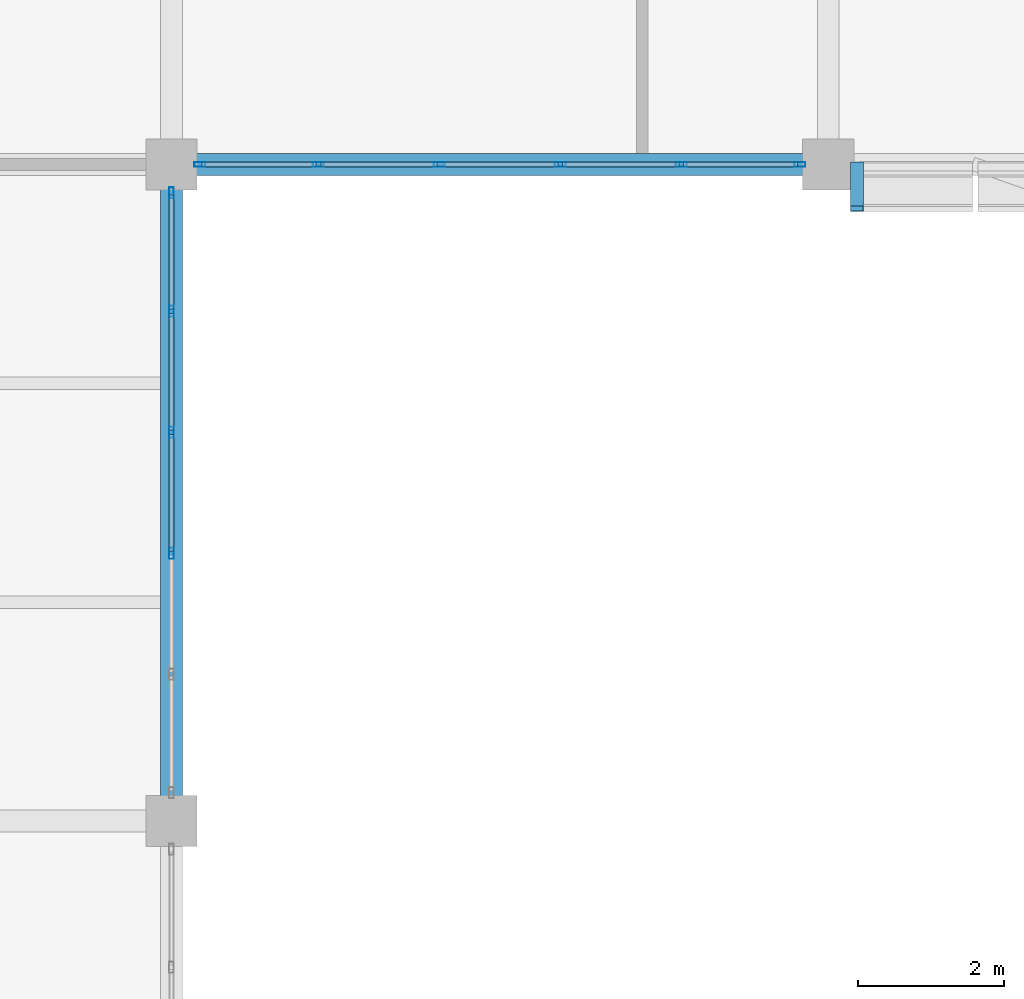
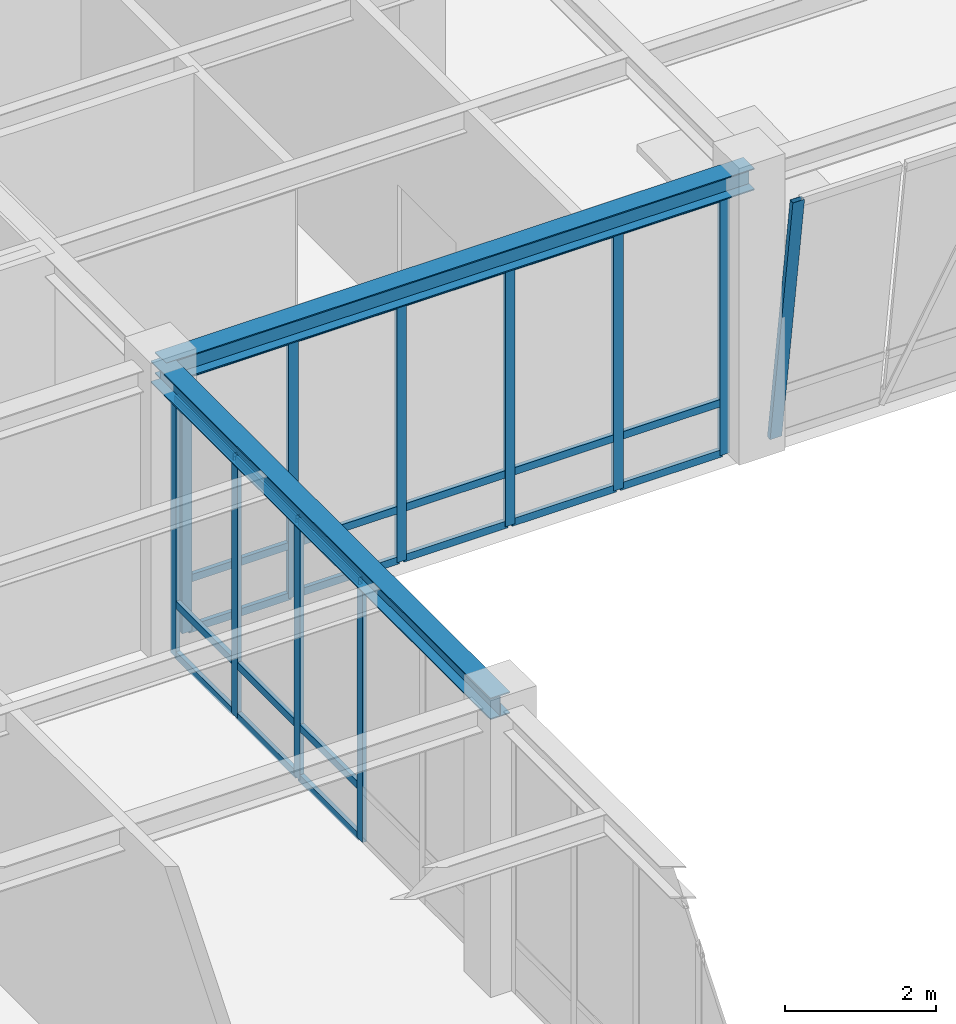
# One storey, part 26 of 92: 35 members, 2 beams, 3 elements without a shape of their own.
"""IFC4 building model written with IfcOpenShell, lengths in metres."""

from ifc_helpers import new_model, si_unit, direction, frame, origin, origin_2d, place, context, subcontext, project, spatial, hollow_rectangle, i_section, extrude, material, material_profile, profile_set, type_object, element, aggregate, save


model = new_model("IFC4")

# Units and contexts
model_context = context("Model", 3, precision=1e-05, world=origin(), true_north=direction((0.0, 1.0)))
body_context = subcontext(model_context, "Body", "Model", "MODEL_VIEW")
ifc_project = project(units=[si_unit("LENGTHUNIT", "METRE"), si_unit("AREAUNIT", "SQUARE_METRE"), si_unit("VOLUMEUNIT", "CUBIC_METRE"), si_unit("PLANEANGLEUNIT", "RADIAN"), si_unit("MASSUNIT", "GRAM", prefix="KILO")], contexts=[model_context])

# Site, building, storey
site_placement = place(None, origin())
site = spatial("IfcSite", under=ifc_project, at=site_placement, CompositionType="ELEMENT")
building_placement = place(site_placement, origin())
building = spatial("IfcBuilding", under=site, at=building_placement, Name="Lykobir Media Centre", CompositionType="ELEMENT")
storey_placement = place(building_placement, frame((0.0, 0.0, 5.39990234375)))
storey = spatial("IfcBuildingStorey", under=building, at=storey_placement, Name="L01", CompositionType="ELEMENT", Elevation=5.39990234375)

# Beam
ifc_material_1 = material(Name="Steel S355", Category="steel")
ifc_material_profile_1 = material_profile(ifc_material_1, i_section(OverallWidth=0.300048828125, OverallDepth=0.35009765625, WebThickness=0.010009765625, FlangeThickness=0.017578125, at=origin_2d()), Name="HEA 360")
ifc_profile_set_1 = profile_set([ifc_material_profile_1], Name="Steel S355")
beam_type_1 = type_object("IfcBeamType", Name="BM-HEA360", PredefinedType="BEAM", material=ifc_profile_set_1)
beam_1_placement = place(storey_placement, frame((36.0, 54.0, 4.385009765625), z_axis=(0.0, 1.0, 0.0), x_axis=(-1.0, 0.0, 0.0)))
element("IfcBeam", 1, at=beam_1_placement, inside=storey, type_object=beam_type_1, Name="Beam BM-L01-0360-0540-0360-0630-978", PredefinedType="BEAM", context=body_context, shape_type="SweptSolid", body=[
    extrude(i_section(OverallWidth=0.300048828125, OverallDepth=0.35009765625, WebThickness=0.010009765625, FlangeThickness=0.017578125, at=origin_2d()), origin(), (0.0, 0.0, 1.0), 9.0),
])

# Curtain wall, members
ifc_material_2 = material(Name="Anodized Aluminium AW-6060", Category="aluminium")
curtain_wall_type_1 = type_object("IfcCurtainWallType", Name="CW-COURT-A", PredefinedType="NOTDEFINED", material=ifc_material_2)
curtain_wall_1_placement = place(storey_placement, origin())
curtain_wall_1 = element("IfcCurtainWall", 2, at=curtain_wall_1_placement, inside=storey, type_object=curtain_wall_type_1, Name="Curtain wall CW2-L01-0052", PredefinedType="NOTDEFINED")
ifc_material_profile_2 = material_profile(ifc_material_2, hollow_rectangle(XDim=0.06494140625, YDim=0.14990234375, WallThickness=0.00341796875, at=origin_2d()), Name="ALU MULLION 65x150")
ifc_profile_set_2 = profile_set([ifc_material_profile_2], Name="Anodized Aluminium AW-6060")
member_type_1 = type_object("IfcMemberType", Name="CWM-150", PredefinedType="MULLION", material=ifc_profile_set_2)
member_1_placement = place(storey_placement, frame((36.0, 62.612548828125, 0.0), z_axis=(0.0, 0.0, 1.0), x_axis=(1.0, 0.0, 0.0)))
member_1 = element("IfcMember", 3, at=member_1_placement, type_object=member_type_1, Name="CW2-L01-0052 mullion 1", PredefinedType="MULLION", context=body_context, shape_type="SweptSolid", body=[
    extrude(hollow_rectangle(XDim=0.06494140625, YDim=0.14990234375, WallThickness=0.00341796875, at=origin_2d()), origin(), (0.0, 0.0, 1.0), 4.195068359375),
])
member_2_placement = place(storey_placement, frame((36.0, 60.987060546875, 0.0), z_axis=(0.0, 0.0, 1.0), x_axis=(1.0, 0.0, 0.0)))
member_2 = element("IfcMember", 4, at=member_2_placement, type_object=member_type_1, Name="CW2-L01-0052 mullion 2", PredefinedType="MULLION", context=body_context, shape_type="SweptSolid", body=[
    extrude(hollow_rectangle(XDim=0.06494140625, YDim=0.14990234375, WallThickness=0.00341796875, at=origin_2d()), origin(), (0.0, 0.0, 1.0), 4.195068359375),
])
member_3_placement = place(storey_placement, frame((36.0, 59.3291015625, 0.0), z_axis=(0.0, 0.0, 1.0), x_axis=(1.0, 0.0, 0.0)))
member_3 = element("IfcMember", 5, at=member_3_placement, type_object=member_type_1, Name="CW2-L01-0052 mullion 3", PredefinedType="MULLION", context=body_context, shape_type="SweptSolid", body=[
    extrude(hollow_rectangle(XDim=0.06494140625, YDim=0.14990234375, WallThickness=0.00341796875, at=origin_2d()), origin(), (0.0, 0.0, 1.0), 4.195068359375),
])
member_4_placement = place(storey_placement, frame((36.0, 57.6708984375, 0.0), z_axis=(0.0, 0.0, 1.0), x_axis=(1.0, 0.0, 0.0)))
member_4 = element("IfcMember", 6, at=member_4_placement, type_object=member_type_1, Name="CW2-L01-0052 mullion 4", PredefinedType="MULLION", context=body_context, shape_type="SweptSolid", body=[
    extrude(hollow_rectangle(XDim=0.06494140625, YDim=0.14990234375, WallThickness=0.00341796875, at=origin_2d()), origin(), (0.0, 0.0, 1.0), 4.195068359375),
])

curtain_wall_2_placement = place(storey_placement, origin())
curtain_wall_2 = element("IfcCurtainWall", 7, at=curtain_wall_2_placement, inside=storey, type_object=curtain_wall_type_1, Name="Curtain wall CW2-L01-0053", PredefinedType="NOTDEFINED")
member_5_placement = place(storey_placement, frame((44.612548828125, 63.0, 0.0), z_axis=(0.0, 0.0, 1.0), x_axis=(0.0, -1.0, 0.0)))
member_5 = element("IfcMember", 8, at=member_5_placement, type_object=member_type_1, Name="CW2-L01-0053 mullion 1", PredefinedType="MULLION", context=body_context, shape_type="SweptSolid", body=[
    extrude(hollow_rectangle(XDim=0.06494140625, YDim=0.14990234375, WallThickness=0.00341796875, at=origin_2d()), origin(), (0.0, 0.0, 1.0), 4.195068359375),
])
member_6_placement = place(storey_placement, frame((42.987060546875, 63.0, 0.0), z_axis=(0.0, 0.0, 1.0), x_axis=(0.0, -1.0, 0.0)))
member_6 = element("IfcMember", 9, at=member_6_placement, type_object=member_type_1, Name="CW2-L01-0053 mullion 2", PredefinedType="MULLION", context=body_context, shape_type="SweptSolid", body=[
    extrude(hollow_rectangle(XDim=0.06494140625, YDim=0.14990234375, WallThickness=0.00341796875, at=origin_2d()), origin(), (0.0, 0.0, 1.0), 4.195068359375),
])
member_7_placement = place(storey_placement, frame((41.3291015625, 63.0, 0.0), z_axis=(0.0, 0.0, 1.0), x_axis=(0.0, -1.0, 0.0)))
member_7 = element("IfcMember", 10, at=member_7_placement, type_object=member_type_1, Name="CW2-L01-0053 mullion 3", PredefinedType="MULLION", context=body_context, shape_type="SweptSolid", body=[
    extrude(hollow_rectangle(XDim=0.06494140625, YDim=0.14990234375, WallThickness=0.00341796875, at=origin_2d()), origin(), (0.0, 0.0, 1.0), 4.195068359375),
])
member_8_placement = place(storey_placement, frame((39.6708984375, 63.0, 0.0), z_axis=(0.0, 0.0, 1.0), x_axis=(0.0, -1.0, 0.0)))
member_8 = element("IfcMember", 11, at=member_8_placement, type_object=member_type_1, Name="CW2-L01-0053 mullion 4", PredefinedType="MULLION", context=body_context, shape_type="SweptSolid", body=[
    extrude(hollow_rectangle(XDim=0.06494140625, YDim=0.14990234375, WallThickness=0.00341796875, at=origin_2d()), origin(), (0.0, 0.0, 1.0), 4.195068359375),
])
member_9_placement = place(storey_placement, frame((38.012939453125, 63.0, 0.0), z_axis=(0.0, 0.0, 1.0), x_axis=(0.0, -1.0, 0.0)))
member_9 = element("IfcMember", 12, at=member_9_placement, type_object=member_type_1, Name="CW2-L01-0053 mullion 5", PredefinedType="MULLION", context=body_context, shape_type="SweptSolid", body=[
    extrude(hollow_rectangle(XDim=0.06494140625, YDim=0.14990234375, WallThickness=0.00341796875, at=origin_2d()), origin(), (0.0, 0.0, 1.0), 4.195068359375),
])
member_10_placement = place(storey_placement, frame((36.387451171875, 63.0, 0.0), z_axis=(0.0, 0.0, 1.0), x_axis=(0.0, -1.0, 0.0)))
member_10 = element("IfcMember", 13, at=member_10_placement, type_object=member_type_1, Name="CW2-L01-0053 mullion 6", PredefinedType="MULLION", context=body_context, shape_type="SweptSolid", body=[
    extrude(hollow_rectangle(XDim=0.06494140625, YDim=0.14990234375, WallThickness=0.00341796875, at=origin_2d()), origin(), (0.0, 0.0, 1.0), 4.195068359375),
])

# Curtain wall, member
curtain_wall_type_2 = type_object("IfcCurtainWallType", Name="CW-V6-CR1", PredefinedType="NOTDEFINED", material=ifc_material_2)
curtain_wall_3_placement = place(storey_placement, origin())
curtain_wall_3 = element("IfcCurtainWall", 14, at=curtain_wall_3_placement, inside=storey, type_object=curtain_wall_type_2, Name="Curtain wall CW2-L01-0054", PredefinedType="NOTDEFINED")
ifc_material_profile_3 = material_profile(ifc_material_2, hollow_rectangle(XDim=0.074951171875, YDim=0.179931640625, WallThickness=0.00390625, at=origin_2d()), Name="ALU MULLION 75x180")
ifc_profile_set_3 = profile_set([ifc_material_profile_3], Name="Anodized Aluminium AW-6060")
member_type_2 = type_object("IfcMemberType", Name="CWM-180", PredefinedType="MULLION", material=ifc_profile_set_3)
member_11_placement = place(storey_placement, frame((45.392578125, 63.0, 0.0), z_axis=(0.0, -0.142622832142, 0.989777110137), x_axis=(0.0, 0.989777110137, 0.142622832142)))
member_11 = element("IfcMember", 15, at=member_11_placement, type_object=member_type_2, Name="CW2-L01-0054 mullion 1", PredefinedType="MULLION", context=body_context, shape_type="SweptSolid", body=[
    extrude(hollow_rectangle(XDim=0.074951171875, YDim=0.179931640625, WallThickness=0.00390625, at=origin_2d()), origin(), (0.0, 0.0, 1.0), 4.23828125),
])
aggregate(curtain_wall_3, [member_11])

# Member
ifc_material_profile_4 = material_profile(ifc_material_2, hollow_rectangle(XDim=0.06494140625, YDim=0.1201171875, WallThickness=0.0029296875, at=origin_2d()), Name="ALU TRANSOM 65x120")
ifc_profile_set_4 = profile_set([ifc_material_profile_4], Name="Anodized Aluminium AW-6060")
member_type_3 = type_object("IfcMemberType", Name="CWT-120", PredefinedType="USERDEFINED", material=ifc_profile_set_4)
member_12_placement = place(storey_placement, frame((36.0, 62.580078125, 0.03271484375), z_axis=(0.0, -1.0, 0.0), x_axis=(1.0, 0.0, 0.0)))
member_12 = element("IfcMember", 16, at=member_12_placement, type_object=member_type_3, Name="CW2-L01-0052 transom 1.1", ObjectType="TRANSOM", PredefinedType="USERDEFINED", context=body_context, shape_type="SweptSolid", body=[
    extrude(hollow_rectangle(XDim=0.06494140625, YDim=0.1201171875, WallThickness=0.0029296875, at=origin_2d()), origin(), (0.0, 0.0, 1.0), 1.560546875),
])

member_13_placement = place(storey_placement, frame((36.0, 62.580078125, 0.85009765625), z_axis=(0.0, -1.0, 0.0), x_axis=(1.0, 0.0, 0.0)))
member_13 = element("IfcMember", 17, at=member_13_placement, type_object=member_type_3, Name="CW2-L01-0052 transom 1.2", ObjectType="TRANSOM", PredefinedType="USERDEFINED", context=body_context, shape_type="SweptSolid", body=[
    extrude(hollow_rectangle(XDim=0.06494140625, YDim=0.1201171875, WallThickness=0.0029296875, at=origin_2d()), origin(), (0.0, 0.0, 1.0), 1.560546875),
])

member_14_placement = place(storey_placement, frame((36.0, 62.580078125, 4.16259765625), z_axis=(0.0, -1.0, 0.0), x_axis=(1.0, 0.0, 0.0)))
member_14 = element("IfcMember", 18, at=member_14_placement, type_object=member_type_3, Name="CW2-L01-0052 transom 1.3", ObjectType="TRANSOM", PredefinedType="USERDEFINED", context=body_context, shape_type="SweptSolid", body=[
    extrude(hollow_rectangle(XDim=0.06494140625, YDim=0.1201171875, WallThickness=0.0029296875, at=origin_2d()), origin(), (0.0, 0.0, 1.0), 1.560546875),
])

member_15_placement = place(storey_placement, frame((36.0, 60.95458984375, 0.03271484375), z_axis=(0.0, -1.0, 0.0), x_axis=(1.0, 0.0, 0.0)))
member_15 = element("IfcMember", 19, at=member_15_placement, type_object=member_type_3, Name="CW2-L01-0052 transom 2.1", ObjectType="TRANSOM", PredefinedType="USERDEFINED", context=body_context, shape_type="SweptSolid", body=[
    extrude(hollow_rectangle(XDim=0.06494140625, YDim=0.1201171875, WallThickness=0.0029296875, at=origin_2d()), origin(), (0.0, 0.0, 1.0), 1.593017578125),
])

member_16_placement = place(storey_placement, frame((36.0, 60.95458984375, 0.85009765625), z_axis=(0.0, -1.0, 0.0), x_axis=(1.0, 0.0, 0.0)))
member_16 = element("IfcMember", 20, at=member_16_placement, type_object=member_type_3, Name="CW2-L01-0052 transom 2.2", ObjectType="TRANSOM", PredefinedType="USERDEFINED", context=body_context, shape_type="SweptSolid", body=[
    extrude(hollow_rectangle(XDim=0.06494140625, YDim=0.1201171875, WallThickness=0.0029296875, at=origin_2d()), origin(), (0.0, 0.0, 1.0), 1.593017578125),
])

member_17_placement = place(storey_placement, frame((36.0, 60.95458984375, 4.16259765625), z_axis=(0.0, -1.0, 0.0), x_axis=(1.0, 0.0, 0.0)))
member_17 = element("IfcMember", 21, at=member_17_placement, type_object=member_type_3, Name="CW2-L01-0052 transom 2.3", ObjectType="TRANSOM", PredefinedType="USERDEFINED", context=body_context, shape_type="SweptSolid", body=[
    extrude(hollow_rectangle(XDim=0.06494140625, YDim=0.1201171875, WallThickness=0.0029296875, at=origin_2d()), origin(), (0.0, 0.0, 1.0), 1.593017578125),
])

member_18_placement = place(storey_placement, frame((36.0, 59.29638671875, 0.03271484375), z_axis=(0.0, -1.0, 0.0), x_axis=(1.0, 0.0, 0.0)))
member_18 = element("IfcMember", 22, at=member_18_placement, type_object=member_type_3, Name="CW2-L01-0052 transom 3.1", ObjectType="TRANSOM", PredefinedType="USERDEFINED", context=body_context, shape_type="SweptSolid", body=[
    extrude(hollow_rectangle(XDim=0.06494140625, YDim=0.1201171875, WallThickness=0.0029296875, at=origin_2d()), origin(), (0.0, 0.0, 1.0), 1.5927734375),
])

member_19_placement = place(storey_placement, frame((36.0, 59.29638671875, 0.85009765625), z_axis=(0.0, -1.0, 0.0), x_axis=(1.0, 0.0, 0.0)))
member_19 = element("IfcMember", 23, at=member_19_placement, type_object=member_type_3, Name="CW2-L01-0052 transom 3.2", ObjectType="TRANSOM", PredefinedType="USERDEFINED", context=body_context, shape_type="SweptSolid", body=[
    extrude(hollow_rectangle(XDim=0.06494140625, YDim=0.1201171875, WallThickness=0.0029296875, at=origin_2d()), origin(), (0.0, 0.0, 1.0), 1.5927734375),
])

member_20_placement = place(storey_placement, frame((36.0, 59.29638671875, 4.16259765625), z_axis=(0.0, -1.0, 0.0), x_axis=(1.0, 0.0, 0.0)))
member_20 = element("IfcMember", 24, at=member_20_placement, type_object=member_type_3, Name="CW2-L01-0052 transom 3.3", ObjectType="TRANSOM", PredefinedType="USERDEFINED", context=body_context, shape_type="SweptSolid", body=[
    extrude(hollow_rectangle(XDim=0.06494140625, YDim=0.1201171875, WallThickness=0.0029296875, at=origin_2d()), origin(), (0.0, 0.0, 1.0), 1.5927734375),
])

aggregate(curtain_wall_1, [member_1, member_2, member_3, member_4, member_12, member_13, member_14, member_15, member_16, member_17, member_18, member_19, member_20])

member_21_placement = place(storey_placement, frame((44.580078125, 63.0, 0.03271484375), z_axis=(-1.0, 0.0, 0.0), x_axis=(0.0, -1.0, 0.0)))
member_21 = element("IfcMember", 25, at=member_21_placement, type_object=member_type_3, Name="CW2-L01-0053 transom 1.1", ObjectType="TRANSOM", PredefinedType="USERDEFINED", context=body_context, shape_type="SweptSolid", body=[
    extrude(hollow_rectangle(XDim=0.06494140625, YDim=0.1201171875, WallThickness=0.0029296875, at=origin_2d()), origin(), (0.0, 0.0, 1.0), 1.560546875),
])

member_22_placement = place(storey_placement, frame((44.580078125, 63.0, 0.85009765625), z_axis=(-1.0, 0.0, 0.0), x_axis=(0.0, -1.0, 0.0)))
member_22 = element("IfcMember", 26, at=member_22_placement, type_object=member_type_3, Name="CW2-L01-0053 transom 1.2", ObjectType="TRANSOM", PredefinedType="USERDEFINED", context=body_context, shape_type="SweptSolid", body=[
    extrude(hollow_rectangle(XDim=0.06494140625, YDim=0.1201171875, WallThickness=0.0029296875, at=origin_2d()), origin(), (0.0, 0.0, 1.0), 1.560546875),
])

member_23_placement = place(storey_placement, frame((44.580078125, 63.0, 4.16259765625), z_axis=(-1.0, 0.0, 0.0), x_axis=(0.0, -1.0, 0.0)))
member_23 = element("IfcMember", 27, at=member_23_placement, type_object=member_type_3, Name="CW2-L01-0053 transom 1.3", ObjectType="TRANSOM", PredefinedType="USERDEFINED", context=body_context, shape_type="SweptSolid", body=[
    extrude(hollow_rectangle(XDim=0.06494140625, YDim=0.1201171875, WallThickness=0.0029296875, at=origin_2d()), origin(), (0.0, 0.0, 1.0), 1.560546875),
])

member_24_placement = place(storey_placement, frame((42.95458984375, 63.0, 0.03271484375), z_axis=(-1.0, 0.0, 0.0), x_axis=(0.0, -1.0, 0.0)))
member_24 = element("IfcMember", 28, at=member_24_placement, type_object=member_type_3, Name="CW2-L01-0053 transom 2.1", ObjectType="TRANSOM", PredefinedType="USERDEFINED", context=body_context, shape_type="SweptSolid", body=[
    extrude(hollow_rectangle(XDim=0.06494140625, YDim=0.1201171875, WallThickness=0.0029296875, at=origin_2d()), origin(), (0.0, 0.0, 1.0), 1.593017578125),
])

member_25_placement = place(storey_placement, frame((42.95458984375, 63.0, 0.85009765625), z_axis=(-1.0, 0.0, 0.0), x_axis=(0.0, -1.0, 0.0)))
member_25 = element("IfcMember", 29, at=member_25_placement, type_object=member_type_3, Name="CW2-L01-0053 transom 2.2", ObjectType="TRANSOM", PredefinedType="USERDEFINED", context=body_context, shape_type="SweptSolid", body=[
    extrude(hollow_rectangle(XDim=0.06494140625, YDim=0.1201171875, WallThickness=0.0029296875, at=origin_2d()), origin(), (0.0, 0.0, 1.0), 1.593017578125),
])

member_26_placement = place(storey_placement, frame((42.95458984375, 63.0, 4.16259765625), z_axis=(-1.0, 0.0, 0.0), x_axis=(0.0, -1.0, 0.0)))
member_26 = element("IfcMember", 30, at=member_26_placement, type_object=member_type_3, Name="CW2-L01-0053 transom 2.3", ObjectType="TRANSOM", PredefinedType="USERDEFINED", context=body_context, shape_type="SweptSolid", body=[
    extrude(hollow_rectangle(XDim=0.06494140625, YDim=0.1201171875, WallThickness=0.0029296875, at=origin_2d()), origin(), (0.0, 0.0, 1.0), 1.593017578125),
])

member_27_placement = place(storey_placement, frame((41.29638671875, 63.0, 0.03271484375), z_axis=(-1.0, 0.0, 0.0), x_axis=(0.0, -1.0, 0.0)))
member_27 = element("IfcMember", 31, at=member_27_placement, type_object=member_type_3, Name="CW2-L01-0053 transom 3.1", ObjectType="TRANSOM", PredefinedType="USERDEFINED", context=body_context, shape_type="SweptSolid", body=[
    extrude(hollow_rectangle(XDim=0.06494140625, YDim=0.1201171875, WallThickness=0.0029296875, at=origin_2d()), origin(), (0.0, 0.0, 1.0), 1.5927734375),
])

member_28_placement = place(storey_placement, frame((41.29638671875, 63.0, 0.85009765625), z_axis=(-1.0, 0.0, 0.0), x_axis=(0.0, -1.0, 0.0)))
member_28 = element("IfcMember", 32, at=member_28_placement, type_object=member_type_3, Name="CW2-L01-0053 transom 3.2", ObjectType="TRANSOM", PredefinedType="USERDEFINED", context=body_context, shape_type="SweptSolid", body=[
    extrude(hollow_rectangle(XDim=0.06494140625, YDim=0.1201171875, WallThickness=0.0029296875, at=origin_2d()), origin(), (0.0, 0.0, 1.0), 1.5927734375),
])

member_29_placement = place(storey_placement, frame((41.29638671875, 63.0, 4.16259765625), z_axis=(-1.0, 0.0, 0.0), x_axis=(0.0, -1.0, 0.0)))
member_29 = element("IfcMember", 33, at=member_29_placement, type_object=member_type_3, Name="CW2-L01-0053 transom 3.3", ObjectType="TRANSOM", PredefinedType="USERDEFINED", context=body_context, shape_type="SweptSolid", body=[
    extrude(hollow_rectangle(XDim=0.06494140625, YDim=0.1201171875, WallThickness=0.0029296875, at=origin_2d()), origin(), (0.0, 0.0, 1.0), 1.5927734375),
])

member_30_placement = place(storey_placement, frame((39.638427734375, 63.0, 0.03271484375), z_axis=(-1.0, 0.0, 0.0), x_axis=(0.0, -1.0, 0.0)))
member_30 = element("IfcMember", 34, at=member_30_placement, type_object=member_type_3, Name="CW2-L01-0053 transom 4.1", ObjectType="TRANSOM", PredefinedType="USERDEFINED", context=body_context, shape_type="SweptSolid", body=[
    extrude(hollow_rectangle(XDim=0.06494140625, YDim=0.1201171875, WallThickness=0.0029296875, at=origin_2d()), origin(), (0.0, 0.0, 1.0), 1.593017578125),
])

member_31_placement = place(storey_placement, frame((39.638427734375, 63.0, 0.85009765625), z_axis=(-1.0, 0.0, 0.0), x_axis=(0.0, -1.0, 0.0)))
member_31 = element("IfcMember", 35, at=member_31_placement, type_object=member_type_3, Name="CW2-L01-0053 transom 4.2", ObjectType="TRANSOM", PredefinedType="USERDEFINED", context=body_context, shape_type="SweptSolid", body=[
    extrude(hollow_rectangle(XDim=0.06494140625, YDim=0.1201171875, WallThickness=0.0029296875, at=origin_2d()), origin(), (0.0, 0.0, 1.0), 1.593017578125),
])

member_32_placement = place(storey_placement, frame((39.638427734375, 63.0, 4.16259765625), z_axis=(-1.0, 0.0, 0.0), x_axis=(0.0, -1.0, 0.0)))
member_32 = element("IfcMember", 36, at=member_32_placement, type_object=member_type_3, Name="CW2-L01-0053 transom 4.3", ObjectType="TRANSOM", PredefinedType="USERDEFINED", context=body_context, shape_type="SweptSolid", body=[
    extrude(hollow_rectangle(XDim=0.06494140625, YDim=0.1201171875, WallThickness=0.0029296875, at=origin_2d()), origin(), (0.0, 0.0, 1.0), 1.593017578125),
])

member_33_placement = place(storey_placement, frame((37.98046875, 63.0, 0.03271484375), z_axis=(-1.0, 0.0, 0.0), x_axis=(0.0, -1.0, 0.0)))
member_33 = element("IfcMember", 37, at=member_33_placement, type_object=member_type_3, Name="CW2-L01-0053 transom 5.1", ObjectType="TRANSOM", PredefinedType="USERDEFINED", context=body_context, shape_type="SweptSolid", body=[
    extrude(hollow_rectangle(XDim=0.06494140625, YDim=0.1201171875, WallThickness=0.0029296875, at=origin_2d()), origin(), (0.0, 0.0, 1.0), 1.560546875),
])

member_34_placement = place(storey_placement, frame((37.98046875, 63.0, 0.85009765625), z_axis=(-1.0, 0.0, 0.0), x_axis=(0.0, -1.0, 0.0)))
member_34 = element("IfcMember", 38, at=member_34_placement, type_object=member_type_3, Name="CW2-L01-0053 transom 5.2", ObjectType="TRANSOM", PredefinedType="USERDEFINED", context=body_context, shape_type="SweptSolid", body=[
    extrude(hollow_rectangle(XDim=0.06494140625, YDim=0.1201171875, WallThickness=0.0029296875, at=origin_2d()), origin(), (0.0, 0.0, 1.0), 1.560546875),
])

member_35_placement = place(storey_placement, frame((37.98046875, 63.0, 4.16259765625), z_axis=(-1.0, 0.0, 0.0), x_axis=(0.0, -1.0, 0.0)))
member_35 = element("IfcMember", 39, at=member_35_placement, type_object=member_type_3, Name="CW2-L01-0053 transom 5.3", ObjectType="TRANSOM", PredefinedType="USERDEFINED", context=body_context, shape_type="SweptSolid", body=[
    extrude(hollow_rectangle(XDim=0.06494140625, YDim=0.1201171875, WallThickness=0.0029296875, at=origin_2d()), origin(), (0.0, 0.0, 1.0), 1.560546875),
])

aggregate(curtain_wall_2, [member_5, member_6, member_7, member_8, member_9, member_10, member_21, member_22, member_23, member_24, member_25, member_26, member_27, member_28, member_29, member_30, member_31, member_32, member_33, member_34, member_35])

# Beam
ifc_material_profile_5 = material_profile(ifc_material_1, i_section(OverallWidth=0.300048828125, OverallDepth=0.35009765625, WebThickness=0.010009765625, FlangeThickness=0.017578125, at=origin_2d()), Name="HEA 360")
ifc_profile_set_5 = profile_set([ifc_material_profile_5], Name="Steel S355")
beam_type_2 = type_object("IfcBeamType", Name="SP-HEA360", PredefinedType="SPANDREL", material=ifc_profile_set_5)
beam_2_placement = place(storey_placement, frame((36.0, 63.0, 4.385009765625), z_axis=(1.0, 0.0, 0.0), x_axis=(0.0, 1.0, 0.0)))
element("IfcBeam", 40, at=beam_2_placement, inside=storey, type_object=beam_type_2, Name="Beam BM-L01-0360-0630-0450-0630-978", PredefinedType="SPANDREL", context=body_context, shape_type="SweptSolid", body=[
    extrude(i_section(OverallWidth=0.300048828125, OverallDepth=0.35009765625, WebThickness=0.010009765625, FlangeThickness=0.017578125, at=origin_2d()), origin(), (0.0, 0.0, 1.0), 9.0),
])

save(model, "model.ifc")
